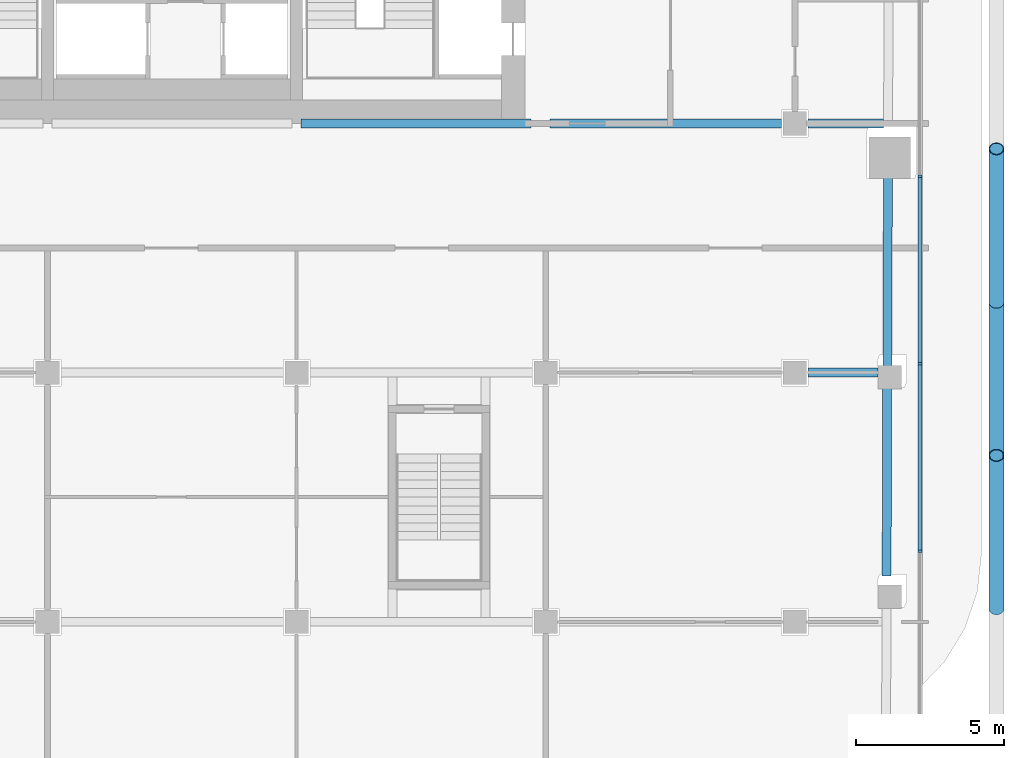
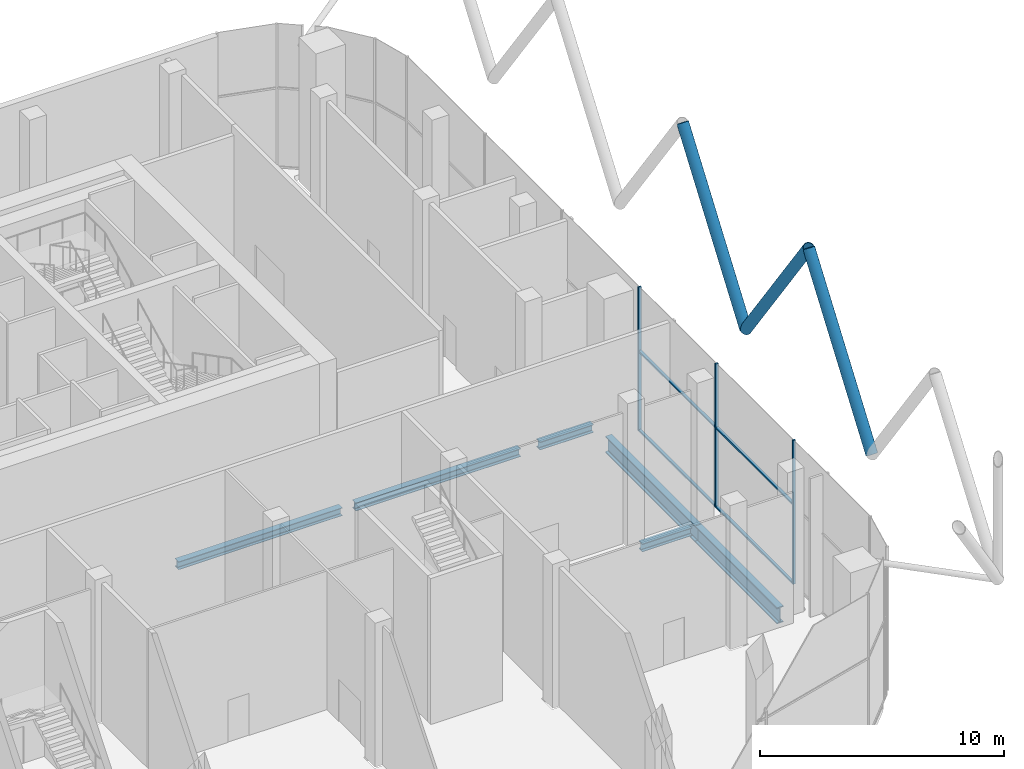
# One storey, part 7 of 25: 10 members, 6 beams, 1 element without a shape of its own.
"""IFC4 building model written with IfcOpenShell, lengths in metres."""

from ifc_helpers import new_model, si_unit, direction, frame, origin, origin_2d, place, context, subcontext, project, spatial, rectangle, hollow_circle, i_section, extrude, material, layer, layer_set, material_profile, profile_set, type_object, element, aggregate, save


model = new_model("IFC4")

# Units and contexts
model_context = context("Model", 3, precision=1e-05, world=origin(), true_north=direction((0.0, 1.0)))
body_context = subcontext(model_context, "Body", "Model", "MODEL_VIEW")
ifc_project = project(units=[si_unit("LENGTHUNIT", "METRE"), si_unit("AREAUNIT", "SQUARE_METRE"), si_unit("VOLUMEUNIT", "CUBIC_METRE"), si_unit("PLANEANGLEUNIT", "RADIAN"), si_unit("MASSUNIT", "GRAM", prefix="KILO")], contexts=[model_context])

# Site, building, storey
site_placement = place(None, origin())
site = spatial("IfcSite", under=ifc_project, at=site_placement, CompositionType="ELEMENT")
building_placement = place(site_placement, origin())
building = spatial("IfcBuilding", under=site, at=building_placement, Name="Marenta Gate Hotel Tower", CompositionType="ELEMENT")
storey_placement = place(building_placement, frame((0.0, 0.0, 180.5)))
storey = spatial("IfcBuildingStorey", under=building, at=storey_placement, Name="L41", CompositionType="ELEMENT", Elevation=180.5)

# Members
ifc_material_1 = material(Name="Steel S355J2W", Category="steel")
ifc_material_profile_1 = material_profile(ifc_material_1, hollow_circle(Radius=0.25390625, WallThickness=0.02490234375, at=origin_2d()), Name="CHS 508x25")
ifc_profile_set_1 = profile_set([ifc_material_profile_1], Name="Steel S355J2W")
member_type_1 = type_object("IfcMemberType", Name="Diagrid diagonal Z3 CHS 508x25", PredefinedType="BRACE", material=ifc_profile_set_1)
member_1_placement = place(storey_placement, frame((27.800048828125, -6.02001953125, 6.739990234375), z_axis=(0.0, 0.583260841117, 0.812284919975), x_axis=(-1.0, 0.0, 0.0)))
element("IfcMember", 1, at=member_1_placement, inside=storey, type_object=member_type_1, Name="L41-DG-6", PredefinedType="BRACE", context=body_context, shape_type="SweptSolid", body=[
    extrude(hollow_circle(Radius=0.25390625, WallThickness=0.02490234375, at=origin_2d()), origin(), (0.0, 0.0, 1.0), 8.86376953125),
])
member_2_placement = place(storey_placement, frame((27.800048828125, -6.02001953125, 6.739990234375), z_axis=(0.0, -0.583279014058, 0.812271870595), x_axis=(1.0, 0.0, 0.0)))
element("IfcMember", 2, at=member_2_placement, inside=storey, type_object=member_type_1, Name="L41-DG-7", PredefinedType="BRACE", context=body_context, shape_type="SweptSolid", body=[
    extrude(hollow_circle(Radius=0.25390625, WallThickness=0.02490234375, at=origin_2d()), origin(), (0.0, 0.0, 1.0), 8.864013671875),
])
member_3_placement = place(storey_placement, frame((27.800048828125, -16.360107421875, 6.739990234375), z_axis=(0.0, 0.583260841117, 0.812284919975), x_axis=(-1.0, 0.0, 0.0)))
element("IfcMember", 3, at=member_3_placement, inside=storey, type_object=member_type_1, Name="L41-DG-8", PredefinedType="BRACE", context=body_context, shape_type="SweptSolid", body=[
    extrude(hollow_circle(Radius=0.25390625, WallThickness=0.02490234375, at=origin_2d()), origin(), (0.0, 0.0, 1.0), 8.86376953125),
])

# Beams
ifc_material_2 = material(Name="Steel S355", Category="steel")
ifc_material_profile_2 = material_profile(ifc_material_2, i_section(OverallWidth=0.302978515625, OverallDepth=0.81396484375, WebThickness=0.030029296875, FlangeThickness=0.052001953125, FilletRadius=0.030029296875, at=origin_2d()), Name="HEM 800")
ifc_profile_set_2 = profile_set([ifc_material_profile_2], Name="Steel S355")
beam_type_1 = type_object("IfcBeamType", Name="Edge beam HEM 800", PredefinedType="SPANDREL", material=ifc_profile_set_2)
beam_1_placement = place(storey_placement, frame((24.141845703125, -1.10986328125, -0.6669921875), z_axis=(-0.003328854634, -0.999994459348, 0.0), x_axis=(0.999994459348, -0.003328854634, 0.0)))
element("IfcBeam", 4, at=beam_1_placement, inside=storey, type_object=beam_type_1, Name="L41-EB-24", PredefinedType="SPANDREL", context=body_context, shape_type="SweptSolid", body=[
    extrude(i_section(OverallWidth=0.302978515625, OverallDepth=0.81396484375, WebThickness=0.030029296875, FlangeThickness=0.052001953125, FilletRadius=0.030029296875, at=origin_2d()), origin(), (0.0, 0.0, 1.0), 7.480712890625),
])
beam_2_placement = place(storey_placement, frame((24.1171875, -8.5107421875, -0.6669921875), z_axis=(-0.003332107543, -0.999994448514, 0.0), x_axis=(0.999994448514, -0.003332107543, 0.0)))
element("IfcBeam", 5, at=beam_2_placement, inside=storey, type_object=beam_type_1, Name="L41-EB-25", PredefinedType="SPANDREL", context=body_context, shape_type="SweptSolid", body=[
    extrude(i_section(OverallWidth=0.302978515625, OverallDepth=0.81396484375, WebThickness=0.030029296875, FlangeThickness=0.052001953125, FilletRadius=0.030029296875, at=origin_2d()), origin(), (0.0, 0.0, 1.0), 6.74072265625),
])
ifc_material_3 = material(Name="Steel S355", Category="steel")
ifc_material_profile_3 = material_profile(ifc_material_3, i_section(OverallWidth=0.300048828125, OverallDepth=0.39990234375, WebThickness=0.013427734375, FlangeThickness=0.02392578125, FilletRadius=0.027099609375, at=origin_2d()), Name="HEB 400")
ifc_profile_set_3 = profile_set([ifc_material_profile_3], Name="Steel S355")
beam_type_2 = type_object("IfcBeamType", Name="Girder HEB 400", PredefinedType="BEAM", material=ifc_profile_set_3)
beam_3_placement = place(storey_placement, frame((21.449951171875, -8.39990234375, -0.4599609375), z_axis=(1.0, 0.0, 0.0), x_axis=(0.0, 1.0, 0.0)))
element("IfcBeam", 6, at=beam_3_placement, inside=storey, type_object=beam_type_2, Name="L41-GD-21", PredefinedType="BEAM", context=body_context, shape_type="SweptSolid", body=[
    extrude(i_section(OverallWidth=0.300048828125, OverallDepth=0.39990234375, WebThickness=0.013427734375, FlangeThickness=0.02392578125, FilletRadius=0.027099609375, at=origin_2d()), origin(), (0.0, 0.0, 1.0), 2.35009765625),
])
beam_4_placement = place(storey_placement, frame((4.3515625, 0.0, -0.4599609375), z_axis=(1.0, 0.0, 0.0), x_axis=(0.0, 1.0, 0.0)))
element("IfcBeam", 7, at=beam_4_placement, inside=storey, type_object=beam_type_2, Name="L41-GD-26", PredefinedType="BEAM", context=body_context, shape_type="SweptSolid", body=[
    extrude(i_section(OverallWidth=0.300048828125, OverallDepth=0.39990234375, WebThickness=0.013427734375, FlangeThickness=0.02392578125, FilletRadius=0.027099609375, at=origin_2d()), origin(), (0.0, 0.0, 1.0), 7.74853515625),
])
beam_5_placement = place(storey_placement, frame((12.75146484375, 0.0, -0.4599609375), z_axis=(1.0, 0.0, 0.0), x_axis=(0.0, 1.0, 0.0)))
element("IfcBeam", 8, at=beam_5_placement, inside=storey, type_object=beam_type_2, Name="L41-GD-27", PredefinedType="BEAM", context=body_context, shape_type="SweptSolid", body=[
    extrude(i_section(OverallWidth=0.300048828125, OverallDepth=0.39990234375, WebThickness=0.013427734375, FlangeThickness=0.02392578125, FilletRadius=0.027099609375, at=origin_2d()), origin(), (0.0, 0.0, 1.0), 7.798583984375),
])
beam_6_placement = place(storey_placement, frame((21.449951171875, 0.0, -0.4599609375), z_axis=(1.0, 0.0, 0.0), x_axis=(0.0, 1.0, 0.0)))
element("IfcBeam", 9, at=beam_6_placement, inside=storey, type_object=beam_type_2, Name="L41-GD-28", PredefinedType="BEAM", context=body_context, shape_type="SweptSolid", body=[
    extrude(i_section(OverallWidth=0.300048828125, OverallDepth=0.39990234375, WebThickness=0.013427734375, FlangeThickness=0.02392578125, FilletRadius=0.027099609375, at=origin_2d()), origin(), (0.0, 0.0, 1.0), 2.544189453125),
])

# Curtain wall, members
ifc_material_4 = material(Name="Tinted insulated glass in bronze anodised frame", Category="glass")
ifc_layer = layer(ifc_material_4, 0.1298828125)
ifc_layer_set = layer_set([ifc_layer], Name="Tinted insulated glass in bronze anodised frame")
curtain_wall_type = type_object("IfcCurtainWallType", Name="Sky lobby glazing CW2", PredefinedType="NOTDEFINED", material=ifc_layer_set)
curtain_wall_placement = place(storey_placement, origin())
curtain_wall = element("IfcCurtainWall", 10, at=curtain_wall_placement, inside=storey, type_object=curtain_wall_type, Name="CW2 run G19", PredefinedType="NOTDEFINED")
ifc_material_5 = material(Name="Bronze anodised aluminium", Category="aluminium")
ifc_material_profile_4 = material_profile(ifc_material_5, rectangle(XDim=0.1298828125, YDim=0.080078125, at=origin_2d()), Name="Mullion CW2 80x130 bronze anodised aluminium")
ifc_profile_set_4 = profile_set([ifc_material_profile_4], Name="Bronze anodised aluminium")
member_type_2 = type_object("IfcMemberType", Name="Mullion CW2 80x130 bronze anodised aluminium", PredefinedType="MULLION", material=ifc_profile_set_4)
member_4_placement = place(storey_placement, frame((25.218994140625, -14.421630859375, 0.0), z_axis=(0.0, 0.0, 1.0), x_axis=(-1.0, 0.0, 0.0)))
member_4 = element("IfcMember", 11, at=member_4_placement, type_object=member_type_2, Name="CW2 mullion 2", PredefinedType="MULLION", context=body_context, shape_type="SweptSolid", body=[
    extrude(rectangle(XDim=0.1298828125, YDim=0.080078125, at=origin_2d()), origin(), (0.0, 0.0, 1.0), 7.199951171875),
])
member_5_placement = place(storey_placement, frame((25.218994140625, -8.098876953125, 0.0), z_axis=(0.0, 0.0, 1.0), x_axis=(-1.0, 0.0, 0.0)))
member_5 = element("IfcMember", 12, at=member_5_placement, type_object=member_type_2, Name="CW2 mullion 3", PredefinedType="MULLION", context=body_context, shape_type="SweptSolid", body=[
    extrude(rectangle(XDim=0.1298828125, YDim=0.080078125, at=origin_2d()), origin(), (0.0, 0.0, 1.0), 7.199951171875),
])
member_6_placement = place(storey_placement, frame((25.218994140625, -1.77587890625, 0.0), z_axis=(0.0, 0.0, 1.0), x_axis=(-1.0, 0.0, 0.0)))
member_6 = element("IfcMember", 13, at=member_6_placement, type_object=member_type_2, Name="CW2 mullion 4", PredefinedType="MULLION", context=body_context, shape_type="SweptSolid", body=[
    extrude(rectangle(XDim=0.1298828125, YDim=0.080078125, at=origin_2d()), origin(), (0.0, 0.0, 1.0), 7.199951171875),
])
ifc_material_6 = material(Name="Bronze anodised aluminium", Category="aluminium")
ifc_material_profile_5 = material_profile(ifc_material_6, rectangle(XDim=0.1298828125, YDim=0.080078125, at=origin_2d()), Name="Transom CW2 80x130 bronze anodised aluminium")
ifc_profile_set_5 = profile_set([ifc_material_profile_5], Name="Bronze anodised aluminium")
member_type_3 = type_object("IfcMemberType", Name="Transom CW2 80x130 bronze anodised aluminium", PredefinedType="USERDEFINED", material=ifc_profile_set_5)
member_7_placement = place(storey_placement, frame((25.218994140625, -14.381591796875, 0.0400390625), z_axis=(0.0, 1.0, 0.0), x_axis=(-1.0, 0.0, 0.0)))
member_7 = element("IfcMember", 14, at=member_7_placement, type_object=member_type_3, Name="CW2 transom 2.1", ObjectType="TRANSOM", PredefinedType="USERDEFINED", context=body_context, shape_type="SweptSolid", body=[
    extrude(rectangle(XDim=0.1298828125, YDim=0.080078125, at=origin_2d()), origin(), (0.0, 0.0, 1.0), 6.24267578125),
])
member_8_placement = place(storey_placement, frame((25.218994140625, -14.381591796875, 4.0), z_axis=(0.0, 1.0, 0.0), x_axis=(-1.0, 0.0, 0.0)))
member_8 = element("IfcMember", 15, at=member_8_placement, type_object=member_type_3, Name="CW2 transom 2.2", ObjectType="TRANSOM", PredefinedType="USERDEFINED", context=body_context, shape_type="SweptSolid", body=[
    extrude(rectangle(XDim=0.1298828125, YDim=0.080078125, at=origin_2d()), origin(), (0.0, 0.0, 1.0), 6.24267578125),
])
member_9_placement = place(storey_placement, frame((25.218994140625, -8.058837890625, 0.0400390625), z_axis=(0.0, 1.0, 0.0), x_axis=(-1.0, 0.0, 0.0)))
member_9 = element("IfcMember", 16, at=member_9_placement, type_object=member_type_3, Name="CW2 transom 3.1", ObjectType="TRANSOM", PredefinedType="USERDEFINED", context=body_context, shape_type="SweptSolid", body=[
    extrude(rectangle(XDim=0.1298828125, YDim=0.080078125, at=origin_2d()), origin(), (0.0, 0.0, 1.0), 6.242919921875),
])
member_10_placement = place(storey_placement, frame((25.218994140625, -8.058837890625, 4.0), z_axis=(0.0, 1.0, 0.0), x_axis=(-1.0, 0.0, 0.0)))
member_10 = element("IfcMember", 17, at=member_10_placement, type_object=member_type_3, Name="CW2 transom 3.2", ObjectType="TRANSOM", PredefinedType="USERDEFINED", context=body_context, shape_type="SweptSolid", body=[
    extrude(rectangle(XDim=0.1298828125, YDim=0.080078125, at=origin_2d()), origin(), (0.0, 0.0, 1.0), 6.242919921875),
])
aggregate(curtain_wall, [member_4, member_5, member_6, member_7, member_8, member_9, member_10])

save(model, "model.ifc")
